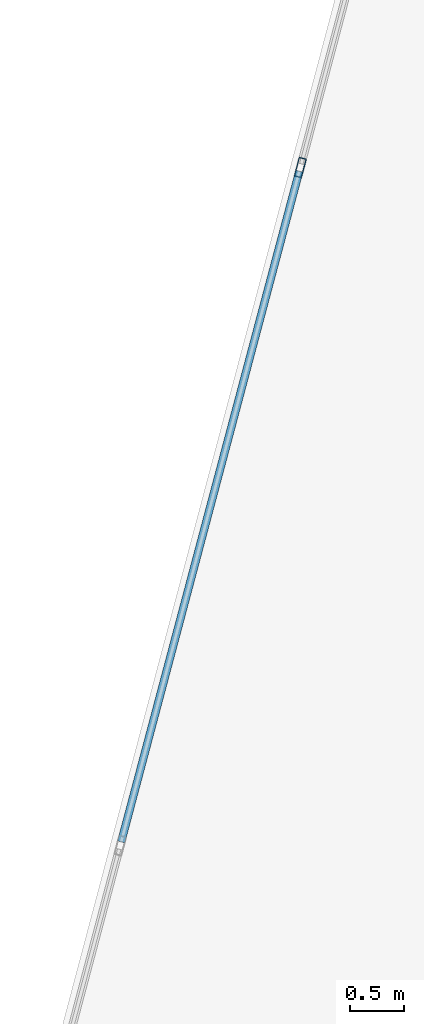
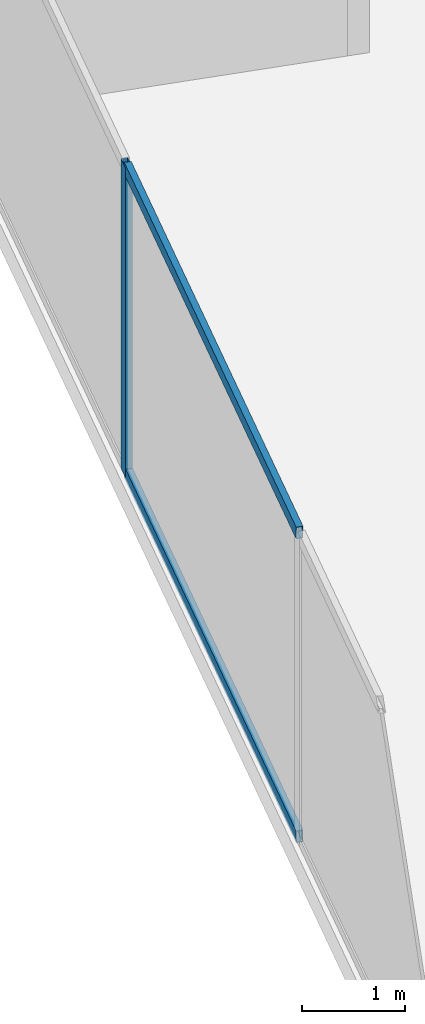
# One storey, part 15 of 27: 3 members, 1 element without a shape of its own.
"""IFC4 building model written with IfcOpenShell, lengths in metres."""

from ifc_helpers import new_model, si_unit, direction, frame, origin, origin_2d, place, context, subcontext, project, spatial, hollow_rectangle, extrude, source, transform, mapped, material, material_profile, profile_set, type_object, type_shapes, element, aggregate, save


model = new_model("IFC4")

# Units and contexts
model_context = context("Model", 3, precision=1e-05, world=origin(), true_north=direction((0.0, 1.0)))
body_context = subcontext(model_context, "Body", "Model", "MODEL_VIEW")
ifc_project = project(units=[si_unit("LENGTHUNIT", "METRE"), si_unit("AREAUNIT", "SQUARE_METRE"), si_unit("VOLUMEUNIT", "CUBIC_METRE"), si_unit("PLANEANGLEUNIT", "RADIAN"), si_unit("MASSUNIT", "GRAM", prefix="KILO")], contexts=[model_context])

# Site, building, storey
site_placement = place(None, origin())
site = spatial("IfcSite", under=ifc_project, at=site_placement, CompositionType="ELEMENT")
building_placement = place(site_placement, origin())
building = spatial("IfcBuilding", under=site, at=building_placement, Name="Krantzveldt Concourse Tower", CompositionType="ELEMENT")
storey_placement = place(building_placement, frame((0.0, 0.0, 105.85009765625)))
storey = spatial("IfcBuildingStorey", under=building, at=storey_placement, Name="L25", CompositionType="ELEMENT", Elevation=105.85009765625)

# Curtain wall, members
ifc_material = material(Name="Anodised aluminium 6063-T6", Category="aluminium")
curtain_wall_type = type_object("IfcCurtainWallType", Name="CW2", PredefinedType="USERDEFINED", material=ifc_material)
curtain_wall_placement = place(storey_placement, origin())
curtain_wall = element("IfcCurtainWall", 1, at=curtain_wall_placement, inside=storey, type_object=curtain_wall_type, Name="CW-L25-F01", ObjectType="UNITISED CURTAIN WALL", PredefinedType="USERDEFINED")
ifc_material_profile_1 = material_profile(ifc_material, hollow_rectangle(XDim=0.070068359375, YDim=0.179931640625, WallThickness=0.0048828125, at=origin_2d()), Name="Anodised aluminium 6063-T6", Category="aluminium")
ifc_profile_set_1 = profile_set([ifc_material_profile_1], Name="Anodised aluminium 6063-T6 - ALU-MULL 180x70x5")
member_type_1 = type_object("IfcMemberType", Name="CW-MUL-180", PredefinedType="MULLION", material=ifc_profile_set_1)
shared_shape_1 = source(origin(), body_context, "Body", "SweptSolid", [
    extrude(hollow_rectangle(XDim=0.070068359375, YDim=0.179931640625, WallThickness=0.0048828125, at=origin_2d()), origin(), (0.0, 0.0, 1.0), 3.669921875),
])
type_shapes(member_type_1, [shared_shape_1])
member_1_placement = place(storey_placement, frame((16.791259765625, 45.183837890625, 0.0), z_axis=(0.0, 0.0, 1.0), x_axis=(0.966488186373, -0.256711093648, 0.0)))
member_1 = element("IfcMember", 2, at=member_1_placement, type_object=member_type_1, Name="CW-Z12 mullion 2", PredefinedType="MULLION", context=body_context, shape_type="MappedRepresentation", body=[
    mapped(shared_shape_1, transform((0.0, 0.0, 0.0), x_axis=(1.0, 0.0, 0.0), y_axis=(0.0, 1.0, 0.0), z_axis=(0.0, 0.0, 1.0), scale=1.0)),
])
ifc_material_profile_2 = material_profile(ifc_material, hollow_rectangle(XDim=0.070068359375, YDim=0.139892578125, WallThickness=0.0048828125, at=origin_2d()), Name="Anodised aluminium 6063-T6", Category="aluminium")
ifc_profile_set_2 = profile_set([ifc_material_profile_2], Name="Anodised aluminium 6063-T6 - ALU-TRAN 140x70x5")
member_type_2 = type_object("IfcMemberType", Name="CW-TRN-150", PredefinedType="USERDEFINED", material=ifc_profile_set_2)
shared_shape_2 = source(origin(), body_context, "Body", "SweptSolid", [
    extrude(hollow_rectangle(XDim=0.070068359375, YDim=0.139892578125, WallThickness=0.0048828125, at=origin_2d()), origin(), (0.0, 0.0, 1.0), 6.396728515625),
])
type_shapes(member_type_2, [shared_shape_2])
member_2_placement = place(storey_placement, frame((16.7822265625, 45.150146484375, 0.034912109375), z_axis=(-0.256707571528, -0.966489121884, 0.0), x_axis=(0.966489121884, -0.256707571528, 0.0)))
member_2 = element("IfcMember", 3, at=member_2_placement, type_object=member_type_2, Name="CW-Z12 transom 2.1", ObjectType="TRANSOM", PredefinedType="USERDEFINED", context=body_context, shape_type="MappedRepresentation", body=[
    mapped(shared_shape_2, transform((0.0, 0.0, 0.0), x_axis=(1.0, 0.0, 0.0), y_axis=(0.0, 1.0, 0.0), z_axis=(0.0, 0.0, 1.0), scale=1.0)),
])
member_3_placement = place(storey_placement, frame((16.7822265625, 45.150146484375, 3.635009765625), z_axis=(-0.256707571528, -0.966489121884, 0.0), x_axis=(0.966489121884, -0.256707571528, 0.0)))
member_3 = element("IfcMember", 4, at=member_3_placement, type_object=member_type_2, Name="CW-Z12 transom 2.2", ObjectType="TRANSOM", PredefinedType="USERDEFINED", context=body_context, shape_type="MappedRepresentation", body=[
    mapped(shared_shape_2, transform((0.0, 0.0, 0.0), x_axis=(1.0, 0.0, 0.0), y_axis=(0.0, 1.0, 0.0), z_axis=(0.0, 0.0, 1.0), scale=1.0)),
])
aggregate(curtain_wall, [member_1, member_2, member_3])

save(model, "model.ifc")
